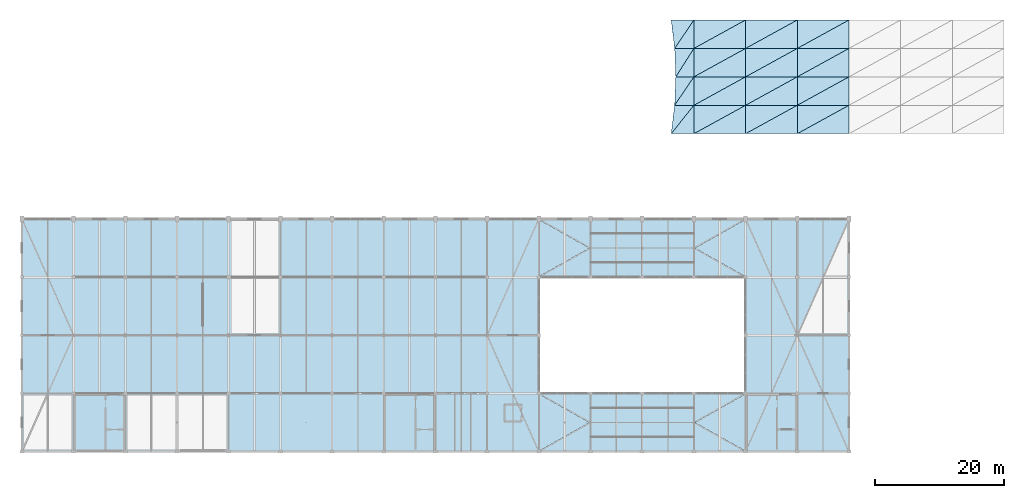
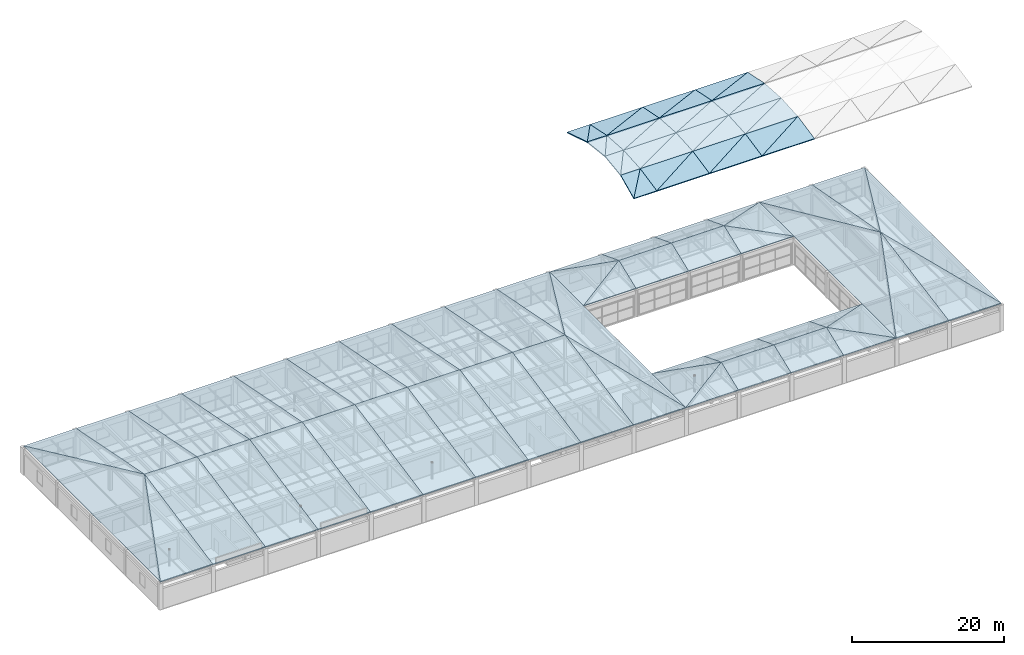
# One storey, part 56 of 65: 80 roofs.
"""IFC4 building model written with IfcOpenShell, lengths in metres."""

import ifcopenshell
import ifcopenshell.guid

model = None  # the IFC model being written
_history = None  # IfcOwnerHistory: only IFC2X3 demands one
_inside = {}  # id of a spatial element -> (the spatial element, [elements in it])
_under = {}  # id of a project, library or spatial element -> (it, [spatial elements below it])
_declared = {}  # id of a project -> (the project, [libraries it declares])
_typed = {}  # id of a type object -> (the type object, [elements of that type])
_made_of = {}  # id of a material, layer set ... -> (it, [elements and type objects made of it])


def new_model(schema):
    """Start an empty IFC model of exactly this schema.

    Asked for "IFC4X3", IfcOpenShell would pick the latest addendum, in which some entities
    have other attributes; the version numbers below select the first issue.
    IFC2X3 requires an IfcOwnerHistory on every rooted entity: one is made here for all.
    """
    global model, _history
    if schema == "IFC4X3":
        model = ifcopenshell.file(schema_version=(4, 3, 0, 0))
    else:
        model = ifcopenshell.file(schema=schema)
    _inside.clear()
    _under.clear()
    _declared.clear()
    _typed.clear()
    _made_of.clear()
    _history = None
    if model.schema == "IFC2X3":
        org = make("IfcOrganization", Name="unknown")
        user = make(
            "IfcPersonAndOrganization",
            ThePerson=make("IfcPerson", FamilyName="unknown"),
            TheOrganization=org,
        )
        app = make(
            "IfcApplication",
            ApplicationDeveloper=org,
            Version="unknown",
            ApplicationFullName="unknown",
            ApplicationIdentifier="unknown",
        )
        _history = make(
            "IfcOwnerHistory",
            OwningUser=user,
            OwningApplication=app,
            ChangeAction="ADDED",
            CreationDate=0,
        )
    return model


def make(cls, **values):
    """One entity of the class cls with the attributes given. An attribute that is None is left unset."""
    return model.create_entity(
        cls, **{name: value for name, value in values.items() if value is not None}
    )


def rooted(cls, **values):
    """An entity with a GlobalId (a new one), such as an element, a storey or a relation."""
    return make(cls, GlobalId=ifcopenshell.guid.new(), OwnerHistory=_history, **values)


def si_unit(unit_type, name, prefix=None):
    """IfcSIUnit, for example si_unit("LENGTHUNIT", "METRE", prefix="MILLI")."""
    return make("IfcSIUnit", UnitType=unit_type, Prefix=prefix, Name=name)


def assignment(units):
    """IfcUnitAssignment: the units of a project."""
    return None if units is None else make("IfcUnitAssignment", Units=units)


def point(xyz):
    """IfcCartesianPoint."""
    return None if xyz is None else make("IfcCartesianPoint", Coordinates=xyz)


def direction(xyz):
    """IfcDirection."""
    return None if xyz is None else make("IfcDirection", DirectionRatios=xyz)


def frame(location, z_axis=None, x_axis=None):
    """IfcAxis2Placement3D, a coordinate frame: its origin and axes. An axis left out is left unset."""
    return make(
        "IfcAxis2Placement3D",
        Location=point(location),
        Axis=direction(z_axis),
        RefDirection=direction(x_axis),
    )


def origin():
    """The frame at (0, 0, 0) with its axes left unset."""
    return frame((0.0, 0.0, 0.0))


def place(relative_to, where):
    """IfcLocalPlacement: puts the frame where relative to a parent placement (None: the world)."""
    return make(
        "IfcLocalPlacement", PlacementRelTo=relative_to, RelativePlacement=where
    )


def context(
    kind, dimensions, precision=None, world=None, true_north=None, identifier=None
):
    """IfcGeometricRepresentationContext, for example the 3D "Model" context."""
    return make(
        "IfcGeometricRepresentationContext",
        ContextIdentifier=identifier,
        ContextType=kind,
        CoordinateSpaceDimension=dimensions,
        Precision=precision,
        WorldCoordinateSystem=world,
        TrueNorth=true_north,
    )


def subcontext(parent, identifier, kind, view, scale=None):
    """IfcGeometricRepresentationSubContext, for example "Body" below "Model"."""
    return make(
        "IfcGeometricRepresentationSubContext",
        ContextIdentifier=identifier,
        ContextType=kind,
        ParentContext=parent,
        TargetScale=scale,
        TargetView=view,
    )


def project(units=None, contexts=None):
    """IfcProject with its units and contexts."""
    return rooted(
        "IfcProject",
        Name="project",
        RepresentationContexts=contexts,
        UnitsInContext=assignment(units),
    )


def spatial(cls, under=None, at=None, **own):
    """A site, building, storey or space (cls), placed at a placement, below another one or the project."""
    s = rooted(cls, ObjectPlacement=at, **own)
    if under is not None:
        _under.setdefault(under.id(), (under, []))[1].append(s)
    return s


def polyline(points):
    """IfcPolyline through the points."""
    return make("IfcPolyline", Points=[point(p) for p in points])


def outline(outer, holes=None, kind="AREA"):
    """IfcArbitraryClosedProfileDef: a profile drawn as a closed curve; with holes, ...WithVoids."""
    if holes is None:
        return make("IfcArbitraryClosedProfileDef", ProfileType=kind, OuterCurve=outer)
    return make(
        "IfcArbitraryProfileDefWithVoids",
        ProfileType=kind,
        OuterCurve=outer,
        InnerCurves=holes,
    )


def extrude(swept, where, along, depth):
    """IfcExtrudedAreaSolid: the profile swept, set in the frame where, extruded along a direction by depth."""
    return make(
        "IfcExtrudedAreaSolid",
        SweptArea=swept,
        Position=where,
        ExtrudedDirection=direction(along),
        Depth=depth,
    )


def shape(context_of_items, identifier, shape_type, items):
    """IfcShapeRepresentation: the items that make up one representation, for example the "Body"."""
    return make(
        "IfcShapeRepresentation",
        ContextOfItems=context_of_items,
        RepresentationIdentifier=identifier,
        RepresentationType=shape_type,
        Items=items,
    )


def material(Name=None, Category=None):
    """IfcMaterial."""
    return make("IfcMaterial", Name=Name, Category=Category)


def layer(
    of_material, thickness, ventilated=None, Name=None, Category=None, Priority=None
):
    """IfcMaterialLayer: one layer of a wall or slab, of a material (None: an air gap)."""
    return make(
        "IfcMaterialLayer",
        Material=of_material,
        LayerThickness=thickness,
        IsVentilated=ventilated,
        Name=Name,
        Category=Category,
        Priority=Priority,
    )


def layer_set(layers, Name=None):
    """IfcMaterialLayerSet."""
    return make("IfcMaterialLayerSet", MaterialLayers=layers, LayerSetName=Name)


def made_of(thing, what):
    """Note that an element or type object is made of a material, layer set ...; save() writes the relation."""
    if what is not None:
        _made_of.setdefault(what.id(), (what, []))[1].append(thing)
    return thing


def type_object(cls, material=None, **own):
    """A type object (cls), such as IfcWallType, which elements share."""
    return made_of(rooted(cls, **own), material)


def element(
    cls,
    number,
    at=None,
    inside=None,
    cuts=None,
    type_object=None,
    material=None,
    context=None,
    identifier="Body",
    shape_type=None,
    held_by="IfcProductDefinitionShape",
    body=None,
    shapes=None,
    **own,
):
    """One element of the class cls, such as IfcWall. Its Tag is "e" and its number.

    at: its placement. inside: the storey or other place that contains it. cuts: it is an
    opening in that element (IfcRelVoidsElement). A single representation is given by context,
    identifier, shape_type and body (its items); several are given by shapes. held_by: the class
    of the entity that holds the representations. save() writes the other relations.
    """
    e = rooted(cls, Tag="e%d" % number, ObjectPlacement=at, **own)
    if body is not None:
        shapes = [shape(context, identifier, shape_type, body)]
    if shapes is not None:
        e.Representation = make(held_by, Representations=shapes)
    if inside is not None:
        _inside.setdefault(inside.id(), (inside, []))[1].append(e)
    if cuts is not None:
        rooted(
            "IfcRelVoidsElement", RelatingBuildingElement=cuts, RelatedOpeningElement=e
        )
    if type_object is not None:
        _typed.setdefault(type_object.id(), (type_object, []))[1].append(e)
    return made_of(e, material)


def aggregate(whole, parts):
    """IfcRelAggregates: a whole, such as a stair, and the parts it consists of."""
    return rooted("IfcRelAggregates", RelatingObject=whole, RelatedObjects=parts)


def save(model, path):
    """Write the relations noted so far, then the file.

    IfcRelAggregates (storeys below a building ...), IfcRelContainedInSpatialStructure (elements
    in a storey), IfcRelDefinesByType, IfcRelAssociatesMaterial and IfcRelDeclares: one each for
    every whole, place, type object, material and project.
    """
    for whole, parts in _under.values():
        aggregate(whole, parts)
    for where, things in _inside.values():
        rooted(
            "IfcRelContainedInSpatialStructure",
            RelatedElements=things,
            RelatingStructure=where,
        )
    for kind, things in _typed.values():
        rooted("IfcRelDefinesByType", RelatedObjects=things, RelatingType=kind)
    for what, things in _made_of.values():
        rooted("IfcRelAssociatesMaterial", RelatedObjects=things, RelatingMaterial=what)
    for by, libraries in _declared.values():
        rooted("IfcRelDeclares", RelatingContext=by, RelatedDefinitions=libraries)
    model.write(path)


model = new_model("IFC4")

# Units and contexts
model_context = context("Model", 3, precision=1e-05, world=origin(), true_north=direction((0.0, 1.0)))
body_context = subcontext(model_context, "Body", "Model", "MODEL_VIEW")
ifc_project = project(units=[si_unit("LENGTHUNIT", "METRE"), si_unit("AREAUNIT", "SQUARE_METRE"), si_unit("VOLUMEUNIT", "CUBIC_METRE"), si_unit("PLANEANGLEUNIT", "RADIAN"), si_unit("MASSUNIT", "GRAM", prefix="KILO")], contexts=[model_context])

# Site, building, storey
site_placement = place(None, origin())
site = spatial("IfcSite", under=ifc_project, at=site_placement, CompositionType="ELEMENT")
building_placement = place(site_placement, origin())
building = spatial("IfcBuilding", under=site, at=building_placement, Name="Varnabhumi Central Station", CompositionType="ELEMENT")
storey_placement = place(building_placement, frame((0.0, 0.0, 24.60009765625)))
storey = spatial("IfcBuildingStorey", under=building, at=storey_placement, Name="L05", CompositionType="ELEMENT", Elevation=24.60009765625)

# Roofs
ifc_material_1 = material(Name="Terracotta clay Mission barrel tile", Category="masonry")
ifc_layer_1 = layer(ifc_material_1, 0.179931640625, Name="Terracotta clay Mission barrel tile", Category="masonry")
ifc_layer_set_1 = layer_set([ifc_layer_1], Name="Terracotta clay Mission barrel tile")
roof_type_1 = type_object("IfcRoofType", Name="ROOF-MISSION-HIP", PredefinedType="HIP_ROOF", material=ifc_layer_set_1)
for number, where, z_axis, x_axis, name in (
    (1, (32.0, 0.0, 4.40185546875), (-0.405892611102, 0.0, 0.913920777887), (0.0, 1.0, 0.0), "Clay Barrel-Tile Hip End Slope SW6E-E"),
    (2, (112.0, 36.0, 4.40185546875), (0.405892611102, 0.0, 0.913920777887), (0.0, -1.0, 0.0), "Clay Barrel-Tile Hip End Slope SW6E-W"),
):
    element("IfcRoof", number, at=place(storey_placement, frame(where, z_axis=z_axis, x_axis=x_axis)), inside=storey, type_object=roof_type_1, Name=name, PredefinedType="HIP_ROOF", context=body_context, shape_type="SweptSolid", body=[
        extrude(outline(polyline([(0.0, 0.0), (36.0, 0.0), (18.0, -8.753493949988933), (0.0, 0.0)])), origin(), (0.0, 0.0, -1.0), 0.179931640625),
    ])
roof_1_placement = place(storey_placement, frame((32.0, 0.0, 4.40185546875), z_axis=(0.0, -0.193651232285, 0.981070435919), x_axis=(1.0, 0.0, 0.0)))
element("IfcRoof", 3, at=roof_1_placement, inside=storey, type_object=roof_type_1, Name="Clay Barrel-Tile Roof Slope SW6E-1S", PredefinedType="HIP_ROOF", context=body_context, shape_type="SweptSolid", body=[
    extrude(outline(polyline([(0.0, 0.0), (8.0, 0.0), (8.0, 18.347306514376786), (0.0, 0.0)])), origin(), (0.0, 0.0, -1.0), 0.179931640625),
])
roof_2_placement = place(storey_placement, frame((40.0, 36.0, 4.40185546875), z_axis=(0.0, 0.193651232285, 0.981070435919), x_axis=(-1.0, 0.0, 0.0)))
element("IfcRoof", 4, at=roof_2_placement, inside=storey, type_object=roof_type_1, Name="Clay Barrel-Tile Roof Slope SW6E-1N", PredefinedType="HIP_ROOF", context=body_context, shape_type="SweptSolid", body=[
    extrude(outline(polyline([(0.0, 0.0), (8.0, 0.0), (0.0, 18.347306514376786), (0.0, 0.0)])), origin(), (0.0, 0.0, -1.0), 0.179931640625),
])
for number, where, z_axis, x_axis, name in (
    (5, (40.0, 0.0, 4.40185546875), (0.0, -0.193651232285, 0.981070435919), (1.0, 0.0, 0.0), "Clay Barrel-Tile Roof Slope SW6E-2S"),
    (6, (48.0, 36.0, 4.40185546875), (0.0, 0.193651232285, 0.981070435919), (-1.0, 0.0, 0.0), "Clay Barrel-Tile Roof Slope SW6E-2N"),
    (7, (48.0, 0.0, 4.40185546875), (0.0, -0.193651232285, 0.981070435919), (1.0, 0.0, 0.0), "Clay Barrel-Tile Roof Slope SW6E-3S"),
    (8, (56.0, 36.0, 4.40185546875), (0.0, 0.193651232285, 0.981070435919), (-1.0, 0.0, 0.0), "Clay Barrel-Tile Roof Slope SW6E-3N"),
    (9, (56.0, 0.0, 4.40185546875), (0.0, -0.193651232285, 0.981070435919), (1.0, 0.0, 0.0), "Clay Barrel-Tile Roof Slope SW6E-4S"),
    (10, (64.0, 36.0, 4.40185546875), (0.0, 0.193651232285, 0.981070435919), (-1.0, 0.0, 0.0), "Clay Barrel-Tile Roof Slope SW6E-4N"),
    (11, (64.0, 0.0, 4.40185546875), (0.0, -0.193651232285, 0.981070435919), (1.0, 0.0, 0.0), "Clay Barrel-Tile Roof Slope SW6E-5S"),
    (12, (72.0, 36.0, 4.40185546875), (0.0, 0.193651232285, 0.981070435919), (-1.0, 0.0, 0.0), "Clay Barrel-Tile Roof Slope SW6E-5N"),
    (13, (72.0, 0.0, 4.40185546875), (0.0, -0.193651232285, 0.981070435919), (1.0, 0.0, 0.0), "Clay Barrel-Tile Roof Slope SW6E-6S"),
    (14, (80.0, 36.0, 4.40185546875), (0.0, 0.193651232285, 0.981070435919), (-1.0, 0.0, 0.0), "Clay Barrel-Tile Roof Slope SW6E-6N"),
    (15, (80.0, 0.0, 4.40185546875), (0.0, -0.193651232285, 0.981070435919), (1.0, 0.0, 0.0), "Clay Barrel-Tile Roof Slope SW6E-7S"),
    (16, (88.0, 36.0, 4.40185546875), (0.0, 0.193651232285, 0.981070435919), (-1.0, 0.0, 0.0), "Clay Barrel-Tile Roof Slope SW6E-7N"),
    (17, (88.0, 0.0, 4.40185546875), (0.0, -0.193651232285, 0.981070435919), (1.0, 0.0, 0.0), "Clay Barrel-Tile Roof Slope SW6E-8S"),
    (18, (96.0, 36.0, 4.40185546875), (0.0, 0.193651232285, 0.981070435919), (-1.0, 0.0, 0.0), "Clay Barrel-Tile Roof Slope SW6E-8N"),
    (19, (96.0, 0.0, 4.40185546875), (0.0, -0.193651232285, 0.981070435919), (1.0, 0.0, 0.0), "Clay Barrel-Tile Roof Slope SW6E-9S"),
    (20, (104.0, 36.0, 4.40185546875), (0.0, 0.193651232285, 0.981070435919), (-1.0, 0.0, 0.0), "Clay Barrel-Tile Roof Slope SW6E-9N"),
):
    element("IfcRoof", number, at=place(storey_placement, frame(where, z_axis=z_axis, x_axis=x_axis)), inside=storey, type_object=roof_type_1, Name=name, PredefinedType="HIP_ROOF", context=body_context, shape_type="SweptSolid", body=[
        extrude(outline(polyline([(0.0, 0.0), (8.0, 0.0), (8.0, 18.347306514376786), (0.0, 18.347306514376786), (0.0, 0.0)])), origin(), (0.0, 0.0, -1.0), 0.179931640625),
    ])
roof_3_placement = place(storey_placement, frame((104.0, 0.0, 4.40185546875), z_axis=(0.0, -0.193651232285, 0.981070435919), x_axis=(1.0, 0.0, 0.0)))
element("IfcRoof", 21, at=roof_3_placement, inside=storey, type_object=roof_type_1, Name="Clay Barrel-Tile Roof Slope SW6E-10S", PredefinedType="HIP_ROOF", context=body_context, shape_type="SweptSolid", body=[
    extrude(outline(polyline([(0.0, 0.0), (8.0, 0.0), (0.0, 18.347306514376786), (0.0, 0.0)])), origin(), (0.0, 0.0, -1.0), 0.179931640625),
])
roof_4_placement = place(storey_placement, frame((112.0, 36.0, 4.40185546875), z_axis=(0.0, 0.193651232285, 0.981070435919), x_axis=(-1.0, 0.0, 0.0)))
element("IfcRoof", 22, at=roof_4_placement, inside=storey, type_object=roof_type_1, Name="Clay Barrel-Tile Roof Slope SW6E-10N", PredefinedType="HIP_ROOF", context=body_context, shape_type="SweptSolid", body=[
    extrude(outline(polyline([(0.0, 0.0), (8.0, 0.0), (8.0, 18.347306514376786), (0.0, 0.0)])), origin(), (0.0, 0.0, -1.0), 0.179931640625),
])
for number, where, z_axis, x_axis, name in (
    (23, (112.0, 0.0, 4.40185546875), (-0.214038253902, 0.0, 0.976825279089), (0.0, 1.0, 0.0), "Clay Barrel-Tile Hip End Slope SW6CS-E"),
    (24, (144.0, 9.0, 4.40185546875), (0.214038253902, 0.0, 0.976825279089), (0.0, -1.0, 0.0), "Clay Barrel-Tile Hip End Slope SW6CS-W"),
):
    element("IfcRoof", number, at=place(storey_placement, frame(where, z_axis=z_axis, x_axis=x_axis)), inside=storey, type_object=roof_type_1, Name=name, PredefinedType="HIP_ROOF", context=body_context, shape_type="SweptSolid", body=[
        extrude(outline(polyline([(0.0, 0.0), (9.0, 0.0), (4.5, -8.189796242234532), (0.0, 0.0)])), origin(), (0.0, 0.0, -1.0), 0.179931640625),
    ])
roof_5_placement = place(storey_placement, frame((112.0, 0.0, 4.40185546875), z_axis=(0.0, -0.362973150885, 0.931799598485), x_axis=(1.0, 0.0, 0.0)))
element("IfcRoof", 25, at=roof_5_placement, inside=storey, type_object=roof_type_1, Name="Clay Barrel-Tile Roof Slope SW6CS-1S", PredefinedType="HIP_ROOF", context=body_context, shape_type="SweptSolid", body=[
    extrude(outline(polyline([(0.0, 0.0), (8.0, 0.0), (8.0, 4.829364605133769), (0.0, 0.0)])), origin(), (0.0, 0.0, -1.0), 0.179931640625),
])
roof_6_placement = place(storey_placement, frame((120.0, 9.0, 4.40185546875), z_axis=(0.0, 0.362973150885, 0.931799598485), x_axis=(-1.0, 0.0, 0.0)))
element("IfcRoof", 26, at=roof_6_placement, inside=storey, type_object=roof_type_1, Name="Clay Barrel-Tile Roof Slope SW6CS-1N", PredefinedType="HIP_ROOF", context=body_context, shape_type="SweptSolid", body=[
    extrude(outline(polyline([(0.0, 0.0), (8.0, 0.0), (0.0, 4.829364605133769), (0.0, 0.0)])), origin(), (0.0, 0.0, -1.0), 0.179931640625),
])
for number, where, z_axis, x_axis, name in (
    (27, (120.0, 0.0, 4.40185546875), (0.0, -0.362973150885, 0.931799598485), (1.0, 0.0, 0.0), "Clay Barrel-Tile Roof Slope SW6CS-2S"),
    (28, (128.0, 9.0, 4.40185546875), (0.0, 0.362973150885, 0.931799598485), (-1.0, 0.0, 0.0), "Clay Barrel-Tile Roof Slope SW6CS-2N"),
    (29, (128.0, 0.0, 4.40185546875), (0.0, -0.362973150885, 0.931799598485), (1.0, 0.0, 0.0), "Clay Barrel-Tile Roof Slope SW6CS-3S"),
    (30, (136.0, 9.0, 4.40185546875), (0.0, 0.362973150885, 0.931799598485), (-1.0, 0.0, 0.0), "Clay Barrel-Tile Roof Slope SW6CS-3N"),
):
    element("IfcRoof", number, at=place(storey_placement, frame(where, z_axis=z_axis, x_axis=x_axis)), inside=storey, type_object=roof_type_1, Name=name, PredefinedType="HIP_ROOF", context=body_context, shape_type="SweptSolid", body=[
        extrude(outline(polyline([(0.0, 0.0), (8.0, 0.0), (8.0, 4.829364605133769), (0.0, 4.829364605133769), (0.0, 0.0)])), origin(), (0.0, 0.0, -1.0), 0.179931640625),
    ])
roof_7_placement = place(storey_placement, frame((136.0, 0.0, 4.40185546875), z_axis=(0.0, -0.362973150885, 0.931799598485), x_axis=(1.0, 0.0, 0.0)))
element("IfcRoof", 31, at=roof_7_placement, inside=storey, type_object=roof_type_1, Name="Clay Barrel-Tile Roof Slope SW6CS-4S", PredefinedType="HIP_ROOF", context=body_context, shape_type="SweptSolid", body=[
    extrude(outline(polyline([(0.0, 0.0), (8.0, 0.0), (0.0, 4.829364605133769), (0.0, 0.0)])), origin(), (0.0, 0.0, -1.0), 0.179931640625),
])
roof_8_placement = place(storey_placement, frame((144.0, 9.0, 4.40185546875), z_axis=(0.0, 0.362973150885, 0.931799598485), x_axis=(-1.0, 0.0, 0.0)))
element("IfcRoof", 32, at=roof_8_placement, inside=storey, type_object=roof_type_1, Name="Clay Barrel-Tile Roof Slope SW6CS-4N", PredefinedType="HIP_ROOF", context=body_context, shape_type="SweptSolid", body=[
    extrude(outline(polyline([(0.0, 0.0), (8.0, 0.0), (8.0, 4.829364605133769), (0.0, 0.0)])), origin(), (0.0, 0.0, -1.0), 0.179931640625),
])
for number, where, z_axis, x_axis, name in (
    (33, (112.0, 27.0, 4.40185546875), (-0.214038253902, 0.0, 0.976825279089), (0.0, 1.0, 0.0), "Clay Barrel-Tile Hip End Slope SW6CN-E"),
    (34, (144.0, 36.0, 4.40185546875), (0.214038253902, 0.0, 0.976825279089), (0.0, -1.0, 0.0), "Clay Barrel-Tile Hip End Slope SW6CN-W"),
):
    element("IfcRoof", number, at=place(storey_placement, frame(where, z_axis=z_axis, x_axis=x_axis)), inside=storey, type_object=roof_type_1, Name=name, PredefinedType="HIP_ROOF", context=body_context, shape_type="SweptSolid", body=[
        extrude(outline(polyline([(0.0, 0.0), (9.0, 0.0), (4.5, -8.189796242234532), (0.0, 0.0)])), origin(), (0.0, 0.0, -1.0), 0.179931640625),
    ])
roof_9_placement = place(storey_placement, frame((112.0, 27.0, 4.40185546875), z_axis=(0.0, -0.362973150885, 0.931799598485), x_axis=(1.0, 0.0, 0.0)))
element("IfcRoof", 35, at=roof_9_placement, inside=storey, type_object=roof_type_1, Name="Clay Barrel-Tile Roof Slope SW6CN-1S", PredefinedType="HIP_ROOF", context=body_context, shape_type="SweptSolid", body=[
    extrude(outline(polyline([(0.0, 0.0), (8.0, 0.0), (8.0, 4.829364605133769), (0.0, 0.0)])), origin(), (0.0, 0.0, -1.0), 0.179931640625),
])
roof_10_placement = place(storey_placement, frame((120.0, 36.0, 4.40185546875), z_axis=(0.0, 0.362973150885, 0.931799598485), x_axis=(-1.0, 0.0, 0.0)))
element("IfcRoof", 36, at=roof_10_placement, inside=storey, type_object=roof_type_1, Name="Clay Barrel-Tile Roof Slope SW6CN-1N", PredefinedType="HIP_ROOF", context=body_context, shape_type="SweptSolid", body=[
    extrude(outline(polyline([(0.0, 0.0), (8.0, 0.0), (0.0, 4.829364605133769), (0.0, 0.0)])), origin(), (0.0, 0.0, -1.0), 0.179931640625),
])
for number, where, z_axis, x_axis, name in (
    (37, (120.0, 27.0, 4.40185546875), (0.0, -0.362973150885, 0.931799598485), (1.0, 0.0, 0.0), "Clay Barrel-Tile Roof Slope SW6CN-2S"),
    (38, (128.0, 36.0, 4.40185546875), (0.0, 0.362973150885, 0.931799598485), (-1.0, 0.0, 0.0), "Clay Barrel-Tile Roof Slope SW6CN-2N"),
    (39, (128.0, 27.0, 4.40185546875), (0.0, -0.362973150885, 0.931799598485), (1.0, 0.0, 0.0), "Clay Barrel-Tile Roof Slope SW6CN-3S"),
    (40, (136.0, 36.0, 4.40185546875), (0.0, 0.362973150885, 0.931799598485), (-1.0, 0.0, 0.0), "Clay Barrel-Tile Roof Slope SW6CN-3N"),
):
    element("IfcRoof", number, at=place(storey_placement, frame(where, z_axis=z_axis, x_axis=x_axis)), inside=storey, type_object=roof_type_1, Name=name, PredefinedType="HIP_ROOF", context=body_context, shape_type="SweptSolid", body=[
        extrude(outline(polyline([(0.0, 0.0), (8.0, 0.0), (8.0, 4.829364605133769), (0.0, 4.829364605133769), (0.0, 0.0)])), origin(), (0.0, 0.0, -1.0), 0.179931640625),
    ])
roof_11_placement = place(storey_placement, frame((136.0, 27.0, 4.40185546875), z_axis=(0.0, -0.362973150885, 0.931799598485), x_axis=(1.0, 0.0, 0.0)))
element("IfcRoof", 41, at=roof_11_placement, inside=storey, type_object=roof_type_1, Name="Clay Barrel-Tile Roof Slope SW6CN-4S", PredefinedType="HIP_ROOF", context=body_context, shape_type="SweptSolid", body=[
    extrude(outline(polyline([(0.0, 0.0), (8.0, 0.0), (0.0, 4.829364605133769), (0.0, 0.0)])), origin(), (0.0, 0.0, -1.0), 0.179931640625),
])
roof_12_placement = place(storey_placement, frame((144.0, 36.0, 4.40185546875), z_axis=(0.0, 0.362973150885, 0.931799598485), x_axis=(-1.0, 0.0, 0.0)))
element("IfcRoof", 42, at=roof_12_placement, inside=storey, type_object=roof_type_1, Name="Clay Barrel-Tile Roof Slope SW6CN-4N", PredefinedType="HIP_ROOF", context=body_context, shape_type="SweptSolid", body=[
    extrude(outline(polyline([(0.0, 0.0), (8.0, 0.0), (8.0, 4.829364605133769), (0.0, 0.0)])), origin(), (0.0, 0.0, -1.0), 0.179931640625),
])
for number, where, z_axis, x_axis, name in (
    (43, (144.0, 0.0, 4.40185546875), (-0.381624998285, 0.0, 0.924317240283), (0.0, 1.0, 0.0), "Clay Barrel-Tile Hip End Slope SW6W-E"),
    (44, (160.0, 36.0, 4.40185546875), (0.381624998285, 0.0, 0.924317240283), (0.0, -1.0, 0.0), "Clay Barrel-Tile Hip End Slope SW6W-W"),
):
    element("IfcRoof", number, at=place(storey_placement, frame(where, z_axis=z_axis, x_axis=x_axis)), inside=storey, type_object=roof_type_1, Name=name, PredefinedType="HIP_ROOF", context=body_context, shape_type="SweptSolid", body=[
        extrude(outline(polyline([(0.0, 0.0), (36.0, 0.0), (18.0, -8.65503709262302), (0.0, 0.0)])), origin(), (0.0, 0.0, -1.0), 0.179931640625),
    ])
roof_13_placement = place(storey_placement, frame((144.0, 0.0, 4.40185546875), z_axis=(0.0, -0.180485329669, 0.983577676533), x_axis=(1.0, 0.0, 0.0)))
element("IfcRoof", 45, at=roof_13_placement, inside=storey, type_object=roof_type_1, Name="Clay Barrel-Tile Roof Slope SW6W-1S", PredefinedType="HIP_ROOF", context=body_context, shape_type="SweptSolid", body=[
    extrude(outline(polyline([(0.0, 0.0), (8.0, 0.0), (8.0, 18.300537343878194), (0.0, 0.0)])), origin(), (0.0, 0.0, -1.0), 0.179931640625),
])
for number, where, z_axis, x_axis, name in (
    (46, (152.0, 36.0, 4.40185546875), (0.0, 0.180485329669, 0.983577676533), (-1.0, 0.0, 0.0), "Clay Barrel-Tile Roof Slope SW6W-1N"),
    (47, (152.0, 0.0, 4.40185546875), (0.0, -0.180485329669, 0.983577676533), (1.0, 0.0, 0.0), "Clay Barrel-Tile Roof Slope SW6W-2S"),
):
    element("IfcRoof", number, at=place(storey_placement, frame(where, z_axis=z_axis, x_axis=x_axis)), inside=storey, type_object=roof_type_1, Name=name, PredefinedType="HIP_ROOF", context=body_context, shape_type="SweptSolid", body=[
        extrude(outline(polyline([(0.0, 0.0), (8.0, 0.0), (0.0, 18.300537343878194), (0.0, 0.0)])), origin(), (0.0, 0.0, -1.0), 0.179931640625),
    ])
roof_14_placement = place(storey_placement, frame((160.0, 36.0, 4.40185546875), z_axis=(0.0, 0.180485329669, 0.983577676533), x_axis=(-1.0, 0.0, 0.0)))
element("IfcRoof", 48, at=roof_14_placement, inside=storey, type_object=roof_type_1, Name="Clay Barrel-Tile Roof Slope SW6W-2N", PredefinedType="HIP_ROOF", context=body_context, shape_type="SweptSolid", body=[
    extrude(outline(polyline([(0.0, 0.0), (8.0, 0.0), (8.0, 18.300537343878194), (0.0, 0.0)])), origin(), (0.0, 0.0, -1.0), 0.179931640625),
])
ifc_material_2 = material(Name="Champagne bronze diamond metal panel")
ifc_layer_2 = layer(ifc_material_2, 0.159912109375, Name="Champagne bronze diamond metal panel")
ifc_layer_set_2 = layer_set([ifc_layer_2], Name="Champagne bronze diamond metal panel")
roof_type_2 = type_object("IfcRoofType", Name="ROOF-VAULT-BARREL", PredefinedType="BARREL_ROOF", material=ifc_layer_set_2)
roof_15_placement = place(storey_placement, frame((132.491455078125, 49.199951171875, 1.028076171875), z_axis=(0.0, -0.200838486367, 0.979624368007), x_axis=(1.0, 0.0, 0.0)))
element("IfcRoof", 49, at=roof_15_placement, inside=storey, type_object=roof_type_2, Name="Platform Train-Shed Vault Diamond Shell Panel 1-4A", PredefinedType="BARREL_ROOF", context=body_context, shape_type="SweptSolid", body=[
    extrude(outline(polyline([(0.0, 0.0), (3.508544921875, 0.0), (3.508544921875, 4.491667038994787), (0.0, 0.0)])), origin(), (0.0, 0.0, -1.0), 0.159912109375),
])
roof_16_placement = place(storey_placement, frame((132.491455078125, 49.199951171875, 1.028076171875), z_axis=(0.0, -0.200838486367, 0.979624368007), x_axis=(0.615581942195, 0.772015402142, 0.158275365417)))
element("IfcRoof", 50, at=roof_16_placement, inside=storey, type_object=roof_type_2, Name="Platform Train-Shed Vault Diamond Shell Panel 1-4B", PredefinedType="BARREL_ROOF", context=body_context, shape_type="SweptSolid", body=[
    extrude(outline(polyline([(0.0, 0.0), (5.699557900224109, -5.273559366969494e-16), (3.8678409296485867, 2.344978595030962), (0.0, 0.0)])), origin(), (0.0, 0.0, -1.0), 0.159912109375),
])
roof_17_placement = place(storey_placement, frame((133.0244140625, 53.60009765625, 1.92724609375), z_axis=(0.0, -0.067375131957, 0.997727714155), x_axis=(1.0, 0.0, 0.0)))
element("IfcRoof", 51, at=roof_17_placement, inside=storey, type_object=roof_type_2, Name="Platform Train-Shed Vault Diamond Shell Panel 1-5A", PredefinedType="BARREL_ROOF", context=body_context, shape_type="SweptSolid", body=[
    extrude(outline(polyline([(0.0, 0.0), (2.9755859375, 0.0), (2.9755859375, 4.409922949243272), (0.0, 0.0)])), origin(), (0.0, 0.0, -1.0), 0.159912109375),
])
roof_18_placement = place(storey_placement, frame((133.0244140625, 53.60009765625, 1.92724609375), z_axis=(0.0, -0.067375131957, 0.997727714155), x_axis=(0.559329241095, 0.827061994011, 0.055850318872)))
element("IfcRoof", 52, at=roof_18_placement, inside=storey, type_object=roof_type_2, Name="Platform Train-Shed Vault Diamond Shell Panel 1-5B", PredefinedType="BARREL_ROOF", context=body_context, shape_type="SweptSolid", body=[
    extrude(outline(polyline([(0.0, 0.0), (5.319918428858683, 5.412337245047638e-16), (3.7537692427950202, 2.321088142849451), (0.0, 0.0)])), origin(), (0.0, 0.0, -1.0), 0.159912109375),
])
roof_19_placement = place(storey_placement, frame((133.199951171875, 58.0, 2.224365234375), z_axis=(0.0, 0.067375131957, 0.997727714155), x_axis=(1.0, 0.0, 0.0)))
element("IfcRoof", 53, at=roof_19_placement, inside=storey, type_object=roof_type_2, Name="Platform Train-Shed Vault Diamond Shell Panel 1-6A", PredefinedType="BARREL_ROOF", context=body_context, shape_type="SweptSolid", body=[
    extrude(outline(polyline([(0.0, 0.0), (2.800048828125, 0.0), (2.800048828125, 4.409922949243272), (0.0, 0.0)])), origin(), (0.0, 0.0, -1.0), 0.159912109375),
])
roof_20_placement = place(storey_placement, frame((133.199951171875, 58.0, 2.224365234375), z_axis=(0.0, 0.067375131957, 0.997727714155), x_axis=(0.536021472852, 0.842286074091, -0.056878379324)))
element("IfcRoof", 54, at=roof_20_placement, inside=storey, type_object=roof_type_2, Name="Platform Train-Shed Vault Diamond Shell Panel 1-6B", PredefinedType="BARREL_ROOF", context=body_context, shape_type="SweptSolid", body=[
    extrude(outline(polyline([(0.0, 0.0), (5.223762423593427, 3.8163916471489756e-17), (3.6287844667761124, 2.512002585331994), (0.0, 0.0)])), origin(), (0.0, 0.0, -1.0), 0.159912109375),
])
roof_21_placement = place(storey_placement, frame((133.0244140625, 62.39990234375, 1.93017578125), z_axis=(0.0, 0.200838486367, 0.979624368007), x_axis=(1.0, 0.0, 0.0)))
element("IfcRoof", 55, at=roof_21_placement, inside=storey, type_object=roof_type_2, Name="Platform Train-Shed Vault Diamond Shell Panel 1-7A", PredefinedType="BARREL_ROOF", context=body_context, shape_type="SweptSolid", body=[
    extrude(outline(polyline([(0.0, 0.0), (2.9755859375, 0.0), (2.9755859375, 4.491667038994787), (0.0, 0.0)])), origin(), (0.0, 0.0, -1.0), 0.159912109375),
])
roof_22_placement = place(storey_placement, frame((133.0244140625, 62.39990234375, 1.93017578125), z_axis=(0.0, 0.200838486367, 0.979624368007), x_axis=(0.552274613083, 0.816675857531, -0.167431464994)))
element("IfcRoof", 56, at=roof_22_placement, inside=storey, type_object=roof_type_2, Name="Platform Train-Shed Vault Diamond Shell Panel 1-7B", PredefinedType="BARREL_ROOF", context=body_context, shape_type="SweptSolid", body=[
    extrude(outline(polyline([(0.0, 0.0), (5.387873834885145, 0.0), (3.450193545673094, 2.924941463621786), (0.0, 0.0)])), origin(), (0.0, 0.0, -1.0), 0.159912109375),
])
roof_23_placement = place(storey_placement, frame((136.0, 49.199951171875, 1.028076171875), z_axis=(0.0, -0.200838486367, 0.979624368007), x_axis=(1.0, 0.0, 0.0)))
element("IfcRoof", 57, at=roof_23_placement, inside=storey, type_object=roof_type_2, Name="Platform Train-Shed Vault Diamond Shell Panel 2-4A", PredefinedType="BARREL_ROOF", context=body_context, shape_type="SweptSolid", body=[
    extrude(outline(polyline([(0.0, 0.0), (8.0, 0.0), (8.0, 4.491667038994787), (0.0, 0.0)])), origin(), (0.0, 0.0, -1.0), 0.159912109375),
])
roof_24_placement = place(storey_placement, frame((136.0, 49.199951171875, 1.028076171875), z_axis=(0.0, -0.200838486367, 0.979624368007), x_axis=(0.871963360953, 0.47959581465, 0.098324725913)))
element("IfcRoof", 58, at=roof_24_placement, inside=storey, type_object=roof_type_2, Name="Platform Train-Shed Vault Diamond Shell Panel 2-4B", PredefinedType="BARREL_ROOF", context=body_context, shape_type="SweptSolid", body=[
    extrude(outline(polyline([(0.0, 0.0), (9.174697422214654, -2.7755575615628914e-17), (2.1989905345916245, 3.916569087603159), (0.0, 0.0)])), origin(), (0.0, 0.0, -1.0), 0.159912109375),
])
roof_25_placement = place(storey_placement, frame((136.0, 53.60009765625, 1.92724609375), z_axis=(0.0, -0.067375131957, 0.997727714155), x_axis=(1.0, 0.0, 0.0)))
element("IfcRoof", 59, at=roof_25_placement, inside=storey, type_object=roof_type_2, Name="Platform Train-Shed Vault Diamond Shell Panel 2-5A", PredefinedType="BARREL_ROOF", context=body_context, shape_type="SweptSolid", body=[
    extrude(outline(polyline([(0.0, 0.0), (8.0, 0.0), (8.0, 4.409922949243272), (0.0, 0.0)])), origin(), (0.0, 0.0, -1.0), 0.159912109375),
])
roof_26_placement = place(storey_placement, frame((136.0, 53.60009765625, 1.92724609375), z_axis=(0.0, -0.067375131957, 0.997727714155), x_axis=(0.875756821788, 0.481655561592, 0.032525514286)))
element("IfcRoof", 60, at=roof_26_placement, inside=storey, type_object=roof_type_2, Name="Platform Train-Shed Vault Diamond Shell Panel 2-5B", PredefinedType="BARREL_ROOF", context=body_context, shape_type="SweptSolid", body=[
    extrude(outline(polyline([(0.0, 0.0), (9.13495596148457, 5.585809592645319e-16), (2.1289013871832587, 3.86202010635777), (0.0, 0.0)])), origin(), (0.0, 0.0, -1.0), 0.159912109375),
])
roof_27_placement = place(storey_placement, frame((136.0, 58.0, 2.224365234375), z_axis=(0.0, 0.067375131957, 0.997727714155), x_axis=(1.0, 0.0, 0.0)))
element("IfcRoof", 61, at=roof_27_placement, inside=storey, type_object=roof_type_2, Name="Platform Train-Shed Vault Diamond Shell Panel 2-6A", PredefinedType="BARREL_ROOF", context=body_context, shape_type="SweptSolid", body=[
    extrude(outline(polyline([(0.0, 0.0), (8.0, 0.0), (8.0, 4.409922949243272), (0.0, 0.0)])), origin(), (0.0, 0.0, -1.0), 0.159912109375),
])
roof_28_placement = place(storey_placement, frame((136.0, 58.0, 2.224365234375), z_axis=(0.0, 0.067375131957, 0.997727714155), x_axis=(0.875756821788, 0.481655561592, -0.032525514286)))
element("IfcRoof", 62, at=roof_28_placement, inside=storey, type_object=roof_type_2, Name="Platform Train-Shed Vault Diamond Shell Panel 2-6B", PredefinedType="BARREL_ROOF", context=body_context, shape_type="SweptSolid", body=[
    extrude(outline(polyline([(0.0, 0.0), (9.13495596148457, 5.585809592645319e-16), (2.1289013871832587, 3.86202010635777), (0.0, 0.0)])), origin(), (0.0, 0.0, -1.0), 0.159912109375),
])
roof_29_placement = place(storey_placement, frame((136.0, 62.39990234375, 1.93017578125), z_axis=(0.0, 0.200838486367, 0.979624368007), x_axis=(1.0, 0.0, 0.0)))
element("IfcRoof", 63, at=roof_29_placement, inside=storey, type_object=roof_type_2, Name="Platform Train-Shed Vault Diamond Shell Panel 2-7A", PredefinedType="BARREL_ROOF", context=body_context, shape_type="SweptSolid", body=[
    extrude(outline(polyline([(0.0, 0.0), (8.0, 0.0), (8.0, 4.491667038994787), (0.0, 0.0)])), origin(), (0.0, 0.0, -1.0), 0.159912109375),
])
roof_30_placement = place(storey_placement, frame((136.0, 62.39990234375, 1.93017578125), z_axis=(0.0, 0.200838486367, 0.979624368007), x_axis=(0.871963360953, 0.47959581465, -0.098324725913)))
element("IfcRoof", 64, at=roof_30_placement, inside=storey, type_object=roof_type_2, Name="Platform Train-Shed Vault Diamond Shell Panel 2-7B", PredefinedType="BARREL_ROOF", context=body_context, shape_type="SweptSolid", body=[
    extrude(outline(polyline([(0.0, 0.0), (9.174697422214654, -2.7755575615628914e-17), (2.1989905345916245, 3.916569087603159), (0.0, 0.0)])), origin(), (0.0, 0.0, -1.0), 0.159912109375),
])
roof_31_placement = place(storey_placement, frame((144.0, 49.199951171875, 1.028076171875), z_axis=(0.0, -0.200838486367, 0.979624368007), x_axis=(1.0, 0.0, 0.0)))
element("IfcRoof", 65, at=roof_31_placement, inside=storey, type_object=roof_type_2, Name="Platform Train-Shed Vault Diamond Shell Panel 3-4A", PredefinedType="BARREL_ROOF", context=body_context, shape_type="SweptSolid", body=[
    extrude(outline(polyline([(0.0, 0.0), (8.0, 0.0), (8.0, 4.491667038994787), (0.0, 0.0)])), origin(), (0.0, 0.0, -1.0), 0.159912109375),
])
roof_32_placement = place(storey_placement, frame((144.0, 49.199951171875, 1.028076171875), z_axis=(0.0, -0.200838486367, 0.979624368007), x_axis=(0.871963360953, 0.47959581465, 0.098324725913)))
element("IfcRoof", 66, at=roof_32_placement, inside=storey, type_object=roof_type_2, Name="Platform Train-Shed Vault Diamond Shell Panel 3-4B", PredefinedType="BARREL_ROOF", context=body_context, shape_type="SweptSolid", body=[
    extrude(outline(polyline([(0.0, 0.0), (9.174697422214654, -2.7755575615628914e-17), (2.1989905345916245, 3.916569087603159), (0.0, 0.0)])), origin(), (0.0, 0.0, -1.0), 0.159912109375),
])
roof_33_placement = place(storey_placement, frame((144.0, 53.60009765625, 1.92724609375), z_axis=(0.0, -0.067375131957, 0.997727714155), x_axis=(1.0, 0.0, 0.0)))
element("IfcRoof", 67, at=roof_33_placement, inside=storey, type_object=roof_type_2, Name="Platform Train-Shed Vault Diamond Shell Panel 3-5A", PredefinedType="BARREL_ROOF", context=body_context, shape_type="SweptSolid", body=[
    extrude(outline(polyline([(0.0, 0.0), (8.0, 0.0), (8.0, 4.409922949243272), (0.0, 0.0)])), origin(), (0.0, 0.0, -1.0), 0.159912109375),
])
roof_34_placement = place(storey_placement, frame((144.0, 53.60009765625, 1.92724609375), z_axis=(0.0, -0.067375131957, 0.997727714155), x_axis=(0.875756821788, 0.481655561592, 0.032525514286)))
element("IfcRoof", 68, at=roof_34_placement, inside=storey, type_object=roof_type_2, Name="Platform Train-Shed Vault Diamond Shell Panel 3-5B", PredefinedType="BARREL_ROOF", context=body_context, shape_type="SweptSolid", body=[
    extrude(outline(polyline([(0.0, 0.0), (9.13495596148457, 5.585809592645319e-16), (2.1289013871832587, 3.86202010635777), (0.0, 0.0)])), origin(), (0.0, 0.0, -1.0), 0.159912109375),
])
roof_35_placement = place(storey_placement, frame((144.0, 58.0, 2.224365234375), z_axis=(0.0, 0.067375131957, 0.997727714155), x_axis=(1.0, 0.0, 0.0)))
element("IfcRoof", 69, at=roof_35_placement, inside=storey, type_object=roof_type_2, Name="Platform Train-Shed Vault Diamond Shell Panel 3-6A", PredefinedType="BARREL_ROOF", context=body_context, shape_type="SweptSolid", body=[
    extrude(outline(polyline([(0.0, 0.0), (8.0, 0.0), (8.0, 4.409922949243272), (0.0, 0.0)])), origin(), (0.0, 0.0, -1.0), 0.159912109375),
])
roof_36_placement = place(storey_placement, frame((144.0, 58.0, 2.224365234375), z_axis=(0.0, 0.067375131957, 0.997727714155), x_axis=(0.875756821788, 0.481655561592, -0.032525514286)))
element("IfcRoof", 70, at=roof_36_placement, inside=storey, type_object=roof_type_2, Name="Platform Train-Shed Vault Diamond Shell Panel 3-6B", PredefinedType="BARREL_ROOF", context=body_context, shape_type="SweptSolid", body=[
    extrude(outline(polyline([(0.0, 0.0), (9.13495596148457, 5.585809592645319e-16), (2.1289013871832587, 3.86202010635777), (0.0, 0.0)])), origin(), (0.0, 0.0, -1.0), 0.159912109375),
])
roof_37_placement = place(storey_placement, frame((144.0, 62.39990234375, 1.93017578125), z_axis=(0.0, 0.200838486367, 0.979624368007), x_axis=(1.0, 0.0, 0.0)))
element("IfcRoof", 71, at=roof_37_placement, inside=storey, type_object=roof_type_2, Name="Platform Train-Shed Vault Diamond Shell Panel 3-7A", PredefinedType="BARREL_ROOF", context=body_context, shape_type="SweptSolid", body=[
    extrude(outline(polyline([(0.0, 0.0), (8.0, 0.0), (8.0, 4.491667038994787), (0.0, 0.0)])), origin(), (0.0, 0.0, -1.0), 0.159912109375),
])
roof_38_placement = place(storey_placement, frame((144.0, 62.39990234375, 1.93017578125), z_axis=(0.0, 0.200838486367, 0.979624368007), x_axis=(0.871963360953, 0.47959581465, -0.098324725913)))
element("IfcRoof", 72, at=roof_38_placement, inside=storey, type_object=roof_type_2, Name="Platform Train-Shed Vault Diamond Shell Panel 3-7B", PredefinedType="BARREL_ROOF", context=body_context, shape_type="SweptSolid", body=[
    extrude(outline(polyline([(0.0, 0.0), (9.174697422214654, -2.7755575615628914e-17), (2.1989905345916245, 3.916569087603159), (0.0, 0.0)])), origin(), (0.0, 0.0, -1.0), 0.159912109375),
])
roof_39_placement = place(storey_placement, frame((152.0, 49.199951171875, 1.028076171875), z_axis=(0.0, -0.200838486367, 0.979624368007), x_axis=(1.0, 0.0, 0.0)))
element("IfcRoof", 73, at=roof_39_placement, inside=storey, type_object=roof_type_2, Name="Platform Train-Shed Vault Diamond Shell Panel 4-4A", PredefinedType="BARREL_ROOF", context=body_context, shape_type="SweptSolid", body=[
    extrude(outline(polyline([(0.0, 0.0), (8.0, 0.0), (8.0, 4.491667038994787), (0.0, 0.0)])), origin(), (0.0, 0.0, -1.0), 0.159912109375),
])
roof_40_placement = place(storey_placement, frame((152.0, 49.199951171875, 1.028076171875), z_axis=(0.0, -0.200838486367, 0.979624368007), x_axis=(0.871963360953, 0.47959581465, 0.098324725913)))
element("IfcRoof", 74, at=roof_40_placement, inside=storey, type_object=roof_type_2, Name="Platform Train-Shed Vault Diamond Shell Panel 4-4B", PredefinedType="BARREL_ROOF", context=body_context, shape_type="SweptSolid", body=[
    extrude(outline(polyline([(0.0, 0.0), (9.174697422214654, -2.7755575615628914e-17), (2.1989905345916245, 3.916569087603159), (0.0, 0.0)])), origin(), (0.0, 0.0, -1.0), 0.159912109375),
])
roof_41_placement = place(storey_placement, frame((152.0, 53.60009765625, 1.92724609375), z_axis=(0.0, -0.067375131957, 0.997727714155), x_axis=(1.0, 0.0, 0.0)))
element("IfcRoof", 75, at=roof_41_placement, inside=storey, type_object=roof_type_2, Name="Platform Train-Shed Vault Diamond Shell Panel 4-5A", PredefinedType="BARREL_ROOF", context=body_context, shape_type="SweptSolid", body=[
    extrude(outline(polyline([(0.0, 0.0), (8.0, 0.0), (8.0, 4.409922949243272), (0.0, 0.0)])), origin(), (0.0, 0.0, -1.0), 0.159912109375),
])
roof_42_placement = place(storey_placement, frame((152.0, 53.60009765625, 1.92724609375), z_axis=(0.0, -0.067375131957, 0.997727714155), x_axis=(0.875756821788, 0.481655561592, 0.032525514286)))
element("IfcRoof", 76, at=roof_42_placement, inside=storey, type_object=roof_type_2, Name="Platform Train-Shed Vault Diamond Shell Panel 4-5B", PredefinedType="BARREL_ROOF", context=body_context, shape_type="SweptSolid", body=[
    extrude(outline(polyline([(0.0, 0.0), (9.13495596148457, 5.585809592645319e-16), (2.1289013871832587, 3.86202010635777), (0.0, 0.0)])), origin(), (0.0, 0.0, -1.0), 0.159912109375),
])
roof_43_placement = place(storey_placement, frame((152.0, 58.0, 2.224365234375), z_axis=(0.0, 0.067375131957, 0.997727714155), x_axis=(1.0, 0.0, 0.0)))
element("IfcRoof", 77, at=roof_43_placement, inside=storey, type_object=roof_type_2, Name="Platform Train-Shed Vault Diamond Shell Panel 4-6A", PredefinedType="BARREL_ROOF", context=body_context, shape_type="SweptSolid", body=[
    extrude(outline(polyline([(0.0, 0.0), (8.0, 0.0), (8.0, 4.409922949243272), (0.0, 0.0)])), origin(), (0.0, 0.0, -1.0), 0.159912109375),
])
roof_44_placement = place(storey_placement, frame((152.0, 58.0, 2.224365234375), z_axis=(0.0, 0.067375131957, 0.997727714155), x_axis=(0.875756821788, 0.481655561592, -0.032525514286)))
element("IfcRoof", 78, at=roof_44_placement, inside=storey, type_object=roof_type_2, Name="Platform Train-Shed Vault Diamond Shell Panel 4-6B", PredefinedType="BARREL_ROOF", context=body_context, shape_type="SweptSolid", body=[
    extrude(outline(polyline([(0.0, 0.0), (9.13495596148457, 5.585809592645319e-16), (2.1289013871832587, 3.86202010635777), (0.0, 0.0)])), origin(), (0.0, 0.0, -1.0), 0.159912109375),
])
roof_45_placement = place(storey_placement, frame((152.0, 62.39990234375, 1.93017578125), z_axis=(0.0, 0.200838486367, 0.979624368007), x_axis=(1.0, 0.0, 0.0)))
element("IfcRoof", 79, at=roof_45_placement, inside=storey, type_object=roof_type_2, Name="Platform Train-Shed Vault Diamond Shell Panel 4-7A", PredefinedType="BARREL_ROOF", context=body_context, shape_type="SweptSolid", body=[
    extrude(outline(polyline([(0.0, 0.0), (8.0, 0.0), (8.0, 4.491667038994787), (0.0, 0.0)])), origin(), (0.0, 0.0, -1.0), 0.159912109375),
])
roof_46_placement = place(storey_placement, frame((152.0, 62.39990234375, 1.93017578125), z_axis=(0.0, 0.200838486367, 0.979624368007), x_axis=(0.871963360953, 0.47959581465, -0.098324725913)))
element("IfcRoof", 80, at=roof_46_placement, inside=storey, type_object=roof_type_2, Name="Platform Train-Shed Vault Diamond Shell Panel 4-7B", PredefinedType="BARREL_ROOF", context=body_context, shape_type="SweptSolid", body=[
    extrude(outline(polyline([(0.0, 0.0), (9.174697422214654, -2.7755575615628914e-17), (2.1989905345916245, 3.916569087603159), (0.0, 0.0)])), origin(), (0.0, 0.0, -1.0), 0.159912109375),
])

save(model, "model.ifc")
